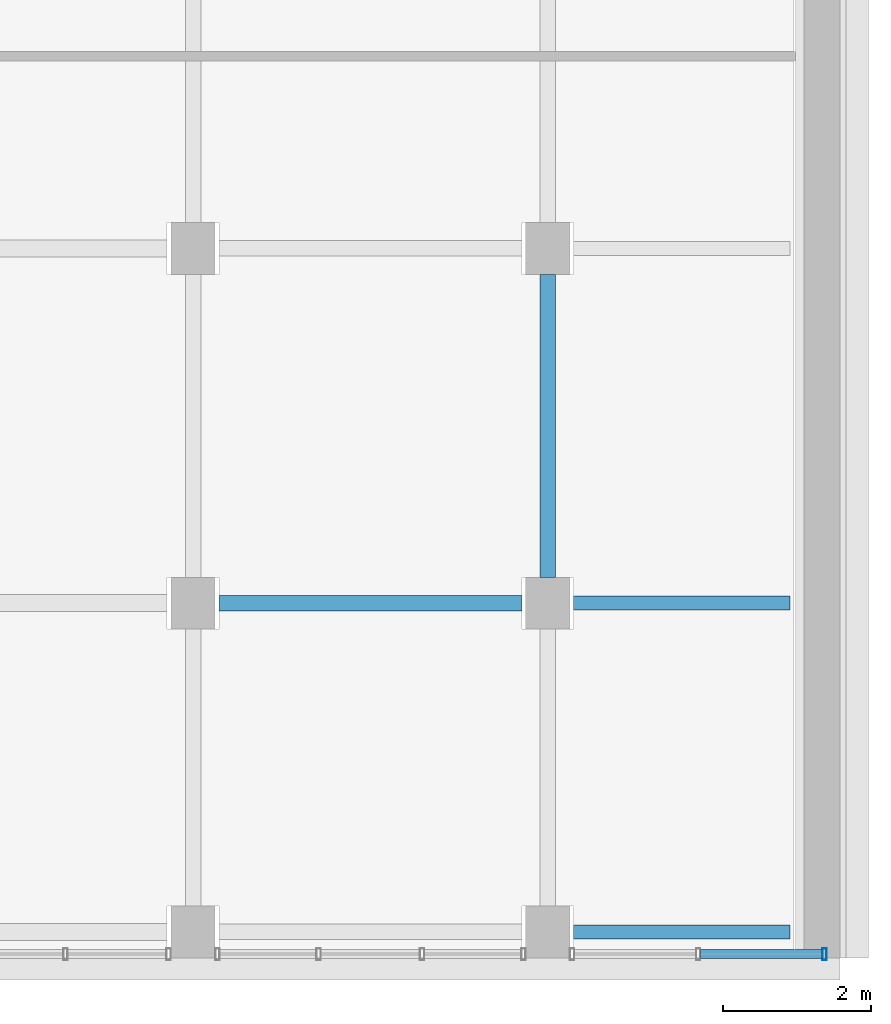
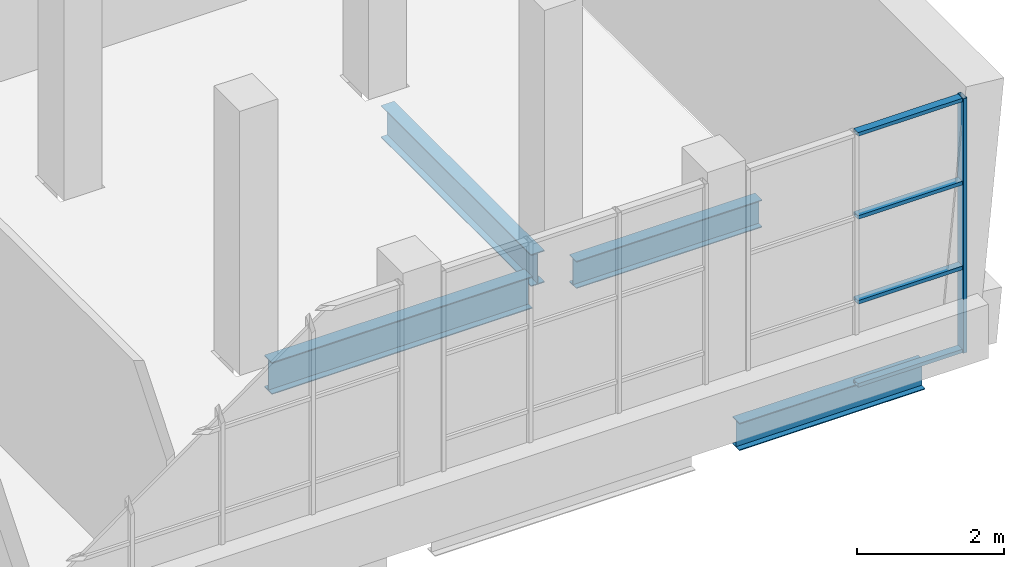
# One storey, part 11 of 32: 5 members, 4 beams, 1 element without a shape of its own.
"""IFC4 building model written with IfcOpenShell, lengths in metres."""

from ifc_helpers import new_model, si_unit, direction, frame, origin, origin_2d, place, context, subcontext, project, spatial, hollow_rectangle, i_section, extrude, material, layer, layer_set, material_profile, profile_set, type_object, element, aggregate, save


model = new_model("IFC4")

# Units and contexts
model_context = context("Model", 3, precision=1e-05, world=origin(), true_north=direction((0.0, 1.0)))
body_context = subcontext(model_context, "Body", "Model", "MODEL_VIEW")
ifc_project = project(units=[si_unit("LENGTHUNIT", "METRE"), si_unit("AREAUNIT", "SQUARE_METRE"), si_unit("VOLUMEUNIT", "CUBIC_METRE"), si_unit("PLANEANGLEUNIT", "RADIAN"), si_unit("MASSUNIT", "GRAM", prefix="KILO")], contexts=[model_context])

# Site, building, storey
site_placement = place(None, origin())
site = spatial("IfcSite", under=ifc_project, at=site_placement, CompositionType="ELEMENT")
building_placement = place(site_placement, origin())
building = spatial("IfcBuilding", under=site, at=building_placement, Name="Baori Bourse Tower", CompositionType="ELEMENT")
storey_placement = place(building_placement, frame((0.0, 0.0, 21.39990234375)))
storey = spatial("IfcBuildingStorey", under=building, at=storey_placement, Name="L03", CompositionType="ELEMENT", Elevation=21.39990234375)

# Beams
ifc_material_1 = material(Name="Steel A992 Gr 50", Category="steel")
ifc_material_profile_1 = material_profile(ifc_material_1, i_section(OverallWidth=0.1904296875, OverallDepth=0.457275390625, WebThickness=0.009033203125, FlangeThickness=0.014404296875, at=origin_2d()), Name="W18x50")
ifc_profile_set_1 = profile_set([ifc_material_profile_1], Name="Steel A992 Gr 50")
beam_type_1 = type_object("IfcBeamType", Name="Wing beam W18x50", PredefinedType="BEAM", material=ifc_profile_set_1)
for number, where, z_axis, x_axis, name in (
    (1, (75.276611328125, -24.85009765625, -0.388427734375), (-1.0, 0.0, 0.0), (0.0, -1.0, 0.0), "wing/L03/Ebeam/001"),
    (2, (75.276611328125, -20.39990234375, -0.388427734375), (-1.0, 0.0, 0.0), (0.0, -1.0, 0.0), "wing/L03/Ebeam/004"),
):
    element("IfcBeam", number, at=place(storey_placement, frame(where, z_axis=z_axis, x_axis=x_axis)), inside=storey, type_object=beam_type_1, Name=name, PredefinedType="BEAM", context=body_context, shape_type="SweptSolid", body=[
        extrude(i_section(OverallWidth=0.1904296875, OverallDepth=0.457275390625, WebThickness=0.009033203125, FlangeThickness=0.014404296875, at=origin_2d()), origin(), (0.0, 0.0, 1.0), 2.926513671875),
    ])
ifc_material_2 = material(Name="Steel A992 Gr 50", Category="steel")
ifc_material_profile_2 = material_profile(ifc_material_2, i_section(OverallWidth=0.209228515625, OverallDepth=0.533447265625, WebThickness=0.01025390625, FlangeThickness=0.015625, at=origin_2d()), Name="W21x62")
ifc_profile_set_2 = profile_set([ifc_material_profile_2], Name="Steel A992 Gr 50")
beam_type_2 = type_object("IfcBeamType", Name="Wing beam W21x62", PredefinedType="BEAM", material=ifc_profile_set_2)
beam_1_placement = place(storey_placement, frame((71.64990234375, -20.39990234375, -0.426513671875), z_axis=(-1.0, 0.0, 0.0), x_axis=(0.0, -1.0, 0.0)))
element("IfcBeam", 3, at=beam_1_placement, inside=storey, type_object=beam_type_2, Name="wing/L03/Ebeam/005", PredefinedType="BEAM", context=body_context, shape_type="SweptSolid", body=[
    extrude(i_section(OverallWidth=0.209228515625, OverallDepth=0.533447265625, WebThickness=0.01025390625, FlangeThickness=0.015625, at=origin_2d()), origin(), (0.0, 0.0, 1.0), 4.099853515625),
])
beam_2_placement = place(storey_placement, frame((72.0, -20.050048828125, -0.426513671875), z_axis=(0.0, 1.0, 0.0), x_axis=(-1.0, 0.0, 0.0)))
element("IfcBeam", 4, at=beam_2_placement, inside=storey, type_object=beam_type_2, Name="wing/L03/Ebeamy/002", PredefinedType="BEAM", context=body_context, shape_type="SweptSolid", body=[
    extrude(i_section(OverallWidth=0.209228515625, OverallDepth=0.533447265625, WebThickness=0.01025390625, FlangeThickness=0.015625, at=origin_2d()), origin(), (0.0, 0.0, 1.0), 4.10009765625),
])

# Curtain wall, members
ifc_material_3 = material(Name="Pale anodised aluminium", Category="aluminium")
ifc_layer = layer(ifc_material_3, 0.10009765625)
ifc_layer_set = layer_set([ifc_layer], Name="Wing curtain wall")
curtain_wall_type = type_object("IfcCurtainWallType", Name="Wing curtain wall", PredefinedType="NOTDEFINED", material=ifc_layer_set)
curtain_wall_placement = place(storey_placement, origin())
curtain_wall = element("IfcCurtainWall", 5, at=curtain_wall_placement, inside=storey, type_object=curtain_wall_type, Name="wing/L03/Ecw/001", PredefinedType="NOTDEFINED")
ifc_material_4 = material(Name="Pale anodised aluminium", Category="aluminium")
ifc_material_profile_3 = material_profile(ifc_material_4, hollow_rectangle(XDim=0.159912109375, YDim=0.06005859375, WallThickness=0.0048828125, at=origin_2d()), Name="Mullion 160x60x5")
ifc_profile_set_3 = profile_set([ifc_material_profile_3], Name="Pale anodised aluminium")
member_type_1 = type_object("IfcMemberType", Name="Wing mullion 60x160", PredefinedType="MULLION", material=ifc_profile_set_3)
member_1_placement = place(storey_placement, frame((75.74365234375, -25.14990234375, 0.0), z_axis=(0.0, 0.0, 1.0), x_axis=(0.0, 1.0, 0.0)))
member_1 = element("IfcMember", 6, at=member_1_placement, type_object=member_type_1, Name="X12 mullion 3", PredefinedType="MULLION", context=body_context, shape_type="SweptSolid", body=[
    extrude(hollow_rectangle(XDim=0.159912109375, YDim=0.06005859375, WallThickness=0.0048828125, at=origin_2d()), origin(), (0.0, 0.0, 1.0), 4.239990234375),
])
ifc_material_5 = material(Name="Pale anodised aluminium", Category="aluminium")
ifc_material_profile_4 = material_profile(ifc_material_5, hollow_rectangle(XDim=0.1201171875, YDim=0.06005859375, WallThickness=0.0048828125, at=origin_2d()), Name="Transom 120x60x5")
ifc_profile_set_4 = profile_set([ifc_material_profile_4], Name="Pale anodised aluminium")
member_type_2 = type_object("IfcMemberType", Name="Wing transom 120x60", PredefinedType="USERDEFINED", material=ifc_profile_set_4)
member_2_placement = place(storey_placement, frame((74.06689453125, -25.14990234375, 0.030029296875), z_axis=(1.0, 0.0, 0.0), x_axis=(0.0, 1.0, 0.0)))
member_2 = element("IfcMember", 7, at=member_2_placement, type_object=member_type_2, Name="X12 transom 2.1", ObjectType="TRANSOM", PredefinedType="USERDEFINED", context=body_context, shape_type="SweptSolid", body=[
    extrude(hollow_rectangle(XDim=0.1201171875, YDim=0.06005859375, WallThickness=0.0048828125, at=origin_2d()), origin(), (0.0, 0.0, 1.0), 1.646728515625),
])
member_3_placement = place(storey_placement, frame((74.06689453125, -25.14990234375, 1.413330078125), z_axis=(1.0, 0.0, 0.0), x_axis=(0.0, 1.0, 0.0)))
member_3 = element("IfcMember", 8, at=member_3_placement, type_object=member_type_2, Name="X12 transom 2.2", ObjectType="TRANSOM", PredefinedType="USERDEFINED", context=body_context, shape_type="SweptSolid", body=[
    extrude(hollow_rectangle(XDim=0.1201171875, YDim=0.06005859375, WallThickness=0.0048828125, at=origin_2d()), origin(), (0.0, 0.0, 1.0), 1.646728515625),
])
member_4_placement = place(storey_placement, frame((74.06689453125, -25.14990234375, 2.82666015625), z_axis=(1.0, 0.0, 0.0), x_axis=(0.0, 1.0, 0.0)))
member_4 = element("IfcMember", 9, at=member_4_placement, type_object=member_type_2, Name="X12 transom 2.3", ObjectType="TRANSOM", PredefinedType="USERDEFINED", context=body_context, shape_type="SweptSolid", body=[
    extrude(hollow_rectangle(XDim=0.1201171875, YDim=0.06005859375, WallThickness=0.0048828125, at=origin_2d()), origin(), (0.0, 0.0, 1.0), 1.646728515625),
])
member_5_placement = place(storey_placement, frame((74.06689453125, -25.14990234375, 4.210205078125), z_axis=(1.0, 0.0, 0.0), x_axis=(0.0, 1.0, 0.0)))
member_5 = element("IfcMember", 10, at=member_5_placement, type_object=member_type_2, Name="X12 transom 2.4", ObjectType="TRANSOM", PredefinedType="USERDEFINED", context=body_context, shape_type="SweptSolid", body=[
    extrude(hollow_rectangle(XDim=0.1201171875, YDim=0.06005859375, WallThickness=0.0048828125, at=origin_2d()), origin(), (0.0, 0.0, 1.0), 1.646728515625),
])
aggregate(curtain_wall, [member_1, member_2, member_3, member_4, member_5])

save(model, "model.ifc")
